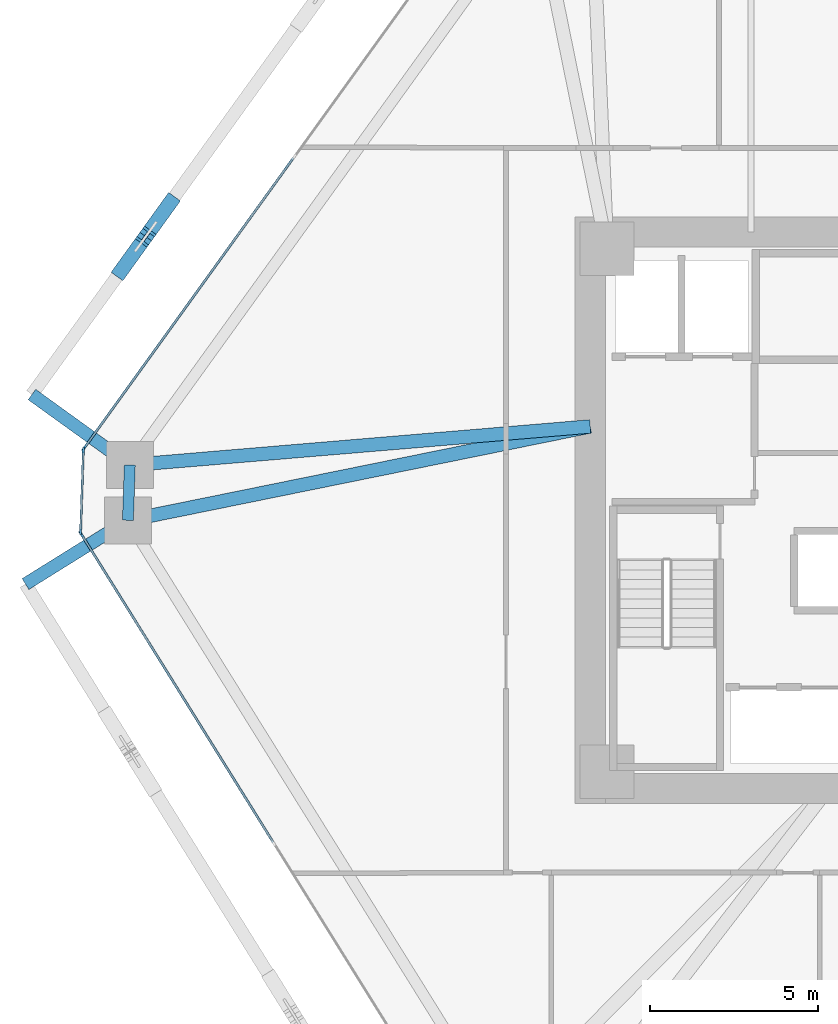
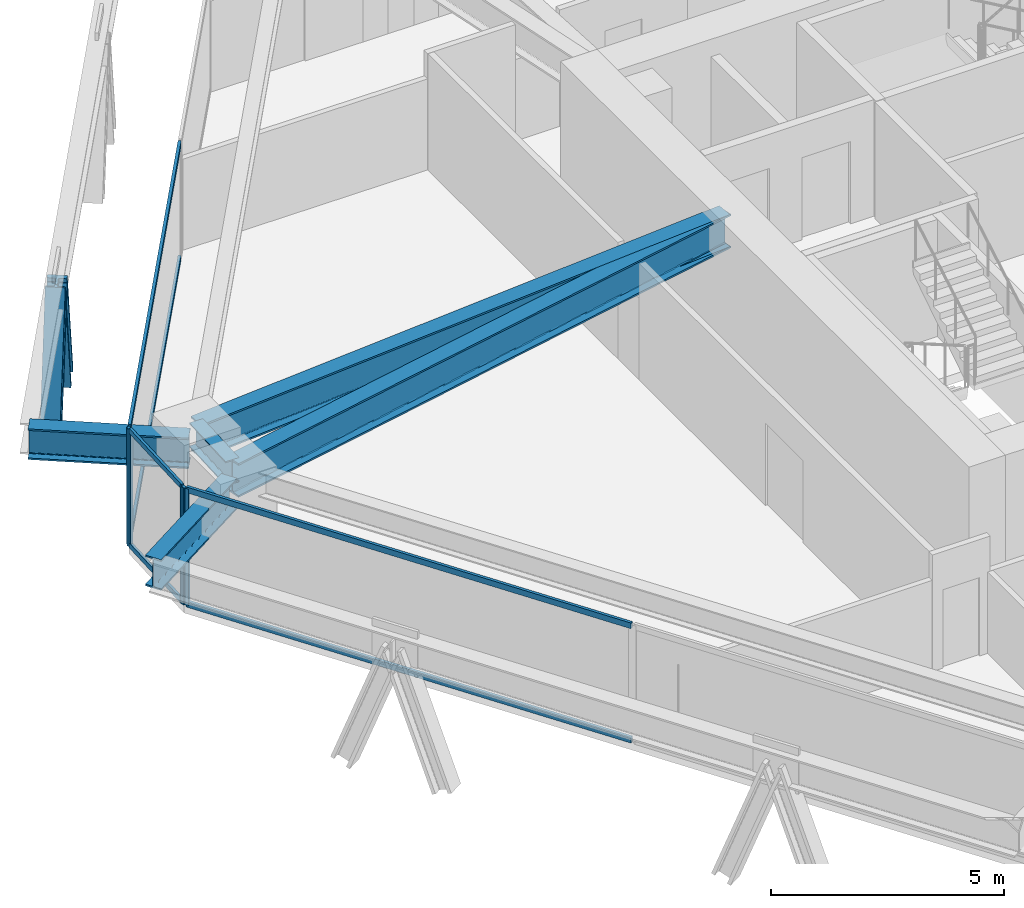
# One storey, part 4 of 17: 12 members, 5 beams, 3 elements without a shape of their own.
"""IFC4 building model written with IfcOpenShell, lengths in metres."""

from ifc_helpers import new_model, si_unit, direction, frame, origin, origin_2d, place, context, subcontext, project, spatial, rectangle, i_section, extrude, source, transform, mapped, material, layer, layer_set, material_profile, profile_set, type_object, type_shapes, element, aggregate, save


model = new_model("IFC4")

# Units and contexts
model_context = context("Model", 3, precision=1e-05, world=origin(), true_north=direction((0.0, 1.0)))
body_context = subcontext(model_context, "Body", "Model", "MODEL_VIEW")
ifc_project = project(units=[si_unit("LENGTHUNIT", "METRE"), si_unit("AREAUNIT", "SQUARE_METRE"), si_unit("VOLUMEUNIT", "CUBIC_METRE"), si_unit("PLANEANGLEUNIT", "RADIAN"), si_unit("MASSUNIT", "GRAM", prefix="KILO")], contexts=[model_context])

# Site, building, storey
site_placement = place(None, origin())
site = spatial("IfcSite", under=ifc_project, at=site_placement, CompositionType="ELEMENT")
building_placement = place(site_placement, origin())
building = spatial("IfcBuilding", under=site, at=building_placement, Name="Durnholm Broadcast Tower", CompositionType="ELEMENT")
storey_placement = place(building_placement, frame((0.0, 0.0, 58.800048828125)))
storey = spatial("IfcBuildingStorey", under=building, at=storey_placement, Name="L14", CompositionType="ELEMENT", Elevation=58.800048828125)

# Beams
ifc_material_1 = material(Name="Steel ASTM A992 Grade 50", Category="steel")
ifc_material_profile_1 = material_profile(ifc_material_1, i_section(OverallWidth=0.3291015625, OverallDepth=0.635009765625, WebThickness=0.017822265625, FlangeThickness=0.031005859375, FilletRadius=0.02783203125, at=origin_2d()), Name="W24X162")
ifc_profile_set_1 = profile_set([ifc_material_profile_1], Name="Steel ASTM A992 Grade 50")
beam_type_1 = type_object("IfcBeamType", Name="STL-SP-W24X162", PredefinedType="SPANDREL", material=ifc_profile_set_1)
shared_shape_1 = source(origin(), body_context, "Body", "SweptSolid", [
    extrude(i_section(OverallWidth=0.3291015625, OverallDepth=0.635009765625, WebThickness=0.017822265625, FlangeThickness=0.031005859375, FilletRadius=0.02783203125, at=origin_2d()), origin(), (0.0, 0.0, 1.0), 1.648193359375),
])
type_shapes(beam_type_1, [shared_shape_1])
beam_1_placement = place(storey_placement, frame((-24.0908203125, -0.2998046875, 2.7275390625), z_axis=(0.033921477804, 0.999424501072, 0.0), x_axis=(-0.999424501072, 0.033921477804, 0.0)))
element("IfcBeam", 1, at=beam_1_placement, inside=storey, type_object=beam_type_1, Name="L14 perimeter spandrel girder 02", PredefinedType="SPANDREL", context=body_context, shape_type="MappedRepresentation", body=[
    mapped(shared_shape_1, transform((0.0, 0.0, 0.0), x_axis=(1.0, 0.0, 0.0), y_axis=(0.0, 1.0, 0.0), z_axis=(0.0, 0.0, 1.0), scale=1.0)),
])
ifc_material_profile_2 = material_profile(ifc_material_1, i_section(OverallWidth=0.404052734375, OverallDepth=0.885009765625, WebThickness=0.0244140625, FlangeThickness=0.0439453125, FilletRadius=0.03564453125, at=origin_2d()), Name="W33X291")
ifc_profile_set_2 = profile_set([ifc_material_profile_2], Name="Steel ASTM A992 Grade 50")
beam_type_2 = type_object("IfcBeamType", Name="STL-GR-W33X291", PredefinedType="USERDEFINED", material=ifc_profile_set_2)
shared_shape_2 = source(origin(), body_context, "Body", "SweptSolid", [
    extrude(i_section(OverallWidth=0.404052734375, OverallDepth=0.885009765625, WebThickness=0.0244140625, FlangeThickness=0.0439453125, FilletRadius=0.03564453125, at=origin_2d()), origin(), (0.0, 0.0, 1.0), 14.072021484375),
])
beam_2_placement = place(storey_placement, frame((-10.300048828125, 2.5, 2.6025390625), z_axis=(-0.980007356767, -0.198961254225, 0.0), x_axis=(0.198961254225, -0.980007356767, 0.0)))
element("IfcBeam", 2, at=beam_2_placement, inside=storey, type_object=beam_type_2, Name="L14 radial primary floor girder 02", ObjectType="GIRDER", PredefinedType="USERDEFINED", context=body_context, shape_type="MappedRepresentation", body=[
    mapped(shared_shape_2, transform((0.0, 0.0, 0.0), x_axis=(1.0, 0.0, 0.0), y_axis=(0.0, 1.0, 0.0), z_axis=(0.0, 0.0, 1.0), scale=1.0)),
])
shared_shape_3 = source(origin(), body_context, "Body", "SweptSolid", [
    extrude(i_section(OverallWidth=0.404052734375, OverallDepth=0.885009765625, WebThickness=0.0244140625, FlangeThickness=0.0439453125, FilletRadius=0.03564453125, at=origin_2d()), origin(), (0.0, 0.0, 1.0), 13.783203125),
])
type_shapes(beam_type_2, [shared_shape_2, shared_shape_3])
beam_3_placement = place(storey_placement, frame((-10.300048828125, 2.5, 2.6025390625), z_axis=(-0.996497460403, -0.083623031579, 0.0), x_axis=(0.083623031579, -0.996497460403, 0.0)))
element("IfcBeam", 3, at=beam_3_placement, inside=storey, type_object=beam_type_2, Name="L14 radial primary floor girder 03", ObjectType="GIRDER", PredefinedType="USERDEFINED", context=body_context, shape_type="MappedRepresentation", body=[
    mapped(shared_shape_3, transform((0.0, 0.0, 0.0), x_axis=(1.0, 0.0, 0.0), y_axis=(0.0, 1.0, 0.0), z_axis=(0.0, 0.0, 1.0), scale=1.0)),
])
ifc_material_profile_3 = material_profile(ifc_material_1, i_section(OverallWidth=0.385009765625, OverallDepth=0.802978515625, WebThickness=0.023681640625, FlangeThickness=0.0419921875, FilletRadius=0.032958984375, at=origin_2d()), Name="W30X261")
ifc_profile_set_3 = profile_set([ifc_material_profile_3], Name="Steel ASTM A992 Grade 50")
beam_type_3 = type_object("IfcBeamType", Name="BM-EXO-TIE", PredefinedType="USERDEFINED", material=ifc_profile_set_3)
shared_shape_4 = source(origin(), body_context, "Body", "SweptSolid", [
    extrude(i_section(OverallWidth=0.385009765625, OverallDepth=0.802978515625, WebThickness=0.023681640625, FlangeThickness=0.0419921875, FilletRadius=0.032958984375, at=origin_2d()), origin(), (0.0, 0.0, 1.0), 3.4560546875),
])
beam_4_placement = place(storey_placement, frame((-24.212890625, -0.375732421875, 2.30859375), z_axis=(-0.848874183218, -0.528594949906, 0.0), x_axis=(0.528594949906, -0.848874183218, 0.0)))
element("IfcBeam", 4, at=beam_4_placement, inside=storey, type_object=beam_type_3, Name="L14 exoskeleton stand-off tie bracket F6.1", ObjectType="GIRDER", PredefinedType="USERDEFINED", context=body_context, shape_type="MappedRepresentation", body=[
    mapped(shared_shape_4, transform((0.0, 0.0, 0.0), x_axis=(1.0, 0.0, 0.0), y_axis=(0.0, 1.0, 0.0), z_axis=(0.0, 0.0, 1.0), scale=1.0)),
])
shared_shape_5 = source(origin(), body_context, "Body", "SweptSolid", [
    extrude(i_section(OverallWidth=0.385009765625, OverallDepth=0.802978515625, WebThickness=0.023681640625, FlangeThickness=0.0419921875, FilletRadius=0.032958984375, at=origin_2d()), origin(), (0.0, 0.0, 1.0), 3.455810546875),
])
type_shapes(beam_type_3, [shared_shape_4, shared_shape_5])
beam_5_placement = place(storey_placement, frame((-24.15185546875, 1.431396484375, 2.30859375), z_axis=(-0.811133512552, 0.584861030344, 0.0), x_axis=(-0.584861030344, -0.811133512552, 0.0)))
element("IfcBeam", 5, at=beam_5_placement, inside=storey, type_object=beam_type_3, Name="L14 exoskeleton stand-off tie bracket F5.2", ObjectType="GIRDER", PredefinedType="USERDEFINED", context=body_context, shape_type="MappedRepresentation", body=[
    mapped(shared_shape_5, transform((0.0, 0.0, 0.0), x_axis=(1.0, 0.0, 0.0), y_axis=(0.0, 1.0, 0.0), z_axis=(0.0, 0.0, 1.0), scale=1.0)),
])

# Members
ifc_material_2 = material(Name="Steel ASTM A913 Grade 65", Category="steel")
ifc_material_profile_4 = material_profile(ifc_material_2, i_section(OverallWidth=0.43212890625, OverallDepth=0.497802734375, WebThickness=0.0556640625, FlangeThickness=0.0888671875, FilletRadius=0.030517578125, at=origin_2d()), Name="W14X500")
ifc_profile_set_4 = profile_set([ifc_material_profile_4], Name="Steel ASTM A913 Grade 65")
member_type_1 = type_object("IfcMemberType", Name="STL-DG-W14X500", PredefinedType="BRACE", material=ifc_profile_set_4)
shared_shape_6 = source(origin(), body_context, "Body", "SweptSolid", [
    extrude(i_section(OverallWidth=0.43212890625, OverallDepth=0.497802734375, WebThickness=0.0556640625, FlangeThickness=0.0888671875, FilletRadius=0.030517578125, at=origin_2d()), origin(), (0.0, 0.0, 1.0), 3.523193359375),
])
type_shapes(member_type_1, [shared_shape_6])
for number, where, z_axis, x_axis, name in (
    (6, (-22.837890625, 9.163330078125, -0.991455078125), (-0.204839138341, -0.284044529113, 0.93667477434), (0.81109123444, -0.58491966065, 0.0), "L14 stand-off diagrid brace F5.D2.1"),
    (7, (-24.281005859375, 7.161865234375, -0.991455078125), (0.20477274847, 0.284048560399, 0.936688068046), (-0.811185111535, 0.584789461963, 0.0), "L14 stand-off diagrid brace F5.D2.2"),
):
    element("IfcMember", number, at=place(storey_placement, frame(where, z_axis=z_axis, x_axis=x_axis)), inside=storey, type_object=member_type_1, Name=name, PredefinedType="BRACE", context=body_context, shape_type="MappedRepresentation", body=[
        mapped(shared_shape_6, transform((0.0, 0.0, 0.0), x_axis=(1.0, 0.0, 0.0), y_axis=(0.0, 1.0, 0.0), z_axis=(0.0, 0.0, 1.0), scale=1.0)),
    ])

# Curtain wall, members
ifc_material_3 = material(Name="Aluminium and Solar Control IGU", Category="aluminium")
ifc_layer_1 = layer(ifc_material_3, 0.1650390625)
ifc_layer_set_1 = layer_set([ifc_layer_1], Name="Aluminium and Solar Control IGU")
curtain_wall_type_1 = type_object("IfcCurtainWallType", Name="CW-SYS-5", PredefinedType="NOTDEFINED", material=ifc_layer_set_1)
curtain_wall_1_placement = place(storey_placement, origin())
curtain_wall_1 = element("IfcCurtainWall", 8, at=curtain_wall_1_placement, inside=storey, type_object=curtain_wall_type_1, Name="L14 curtain wall CW-CORNER CW-L14-CRN-01", PredefinedType="NOTDEFINED")
ifc_material_4 = material(Name="Aluminium 6063-T6", Category="aluminium")
ifc_material_profile_5 = material_profile(ifc_material_4, rectangle(XDim=0.06494140625, YDim=0.1650390625, at=origin_2d()), Name="CWM65X165")
ifc_profile_set_5 = profile_set([ifc_material_profile_5], Name="Aluminium 6063-T6")
member_type_2 = type_object("IfcMemberType", Name="CW-SYS-5-MUL", PredefinedType="MULLION", material=ifc_profile_set_5)
shared_shape_7 = source(origin(), body_context, "Body", "SweptSolid", [
    extrude(rectangle(XDim=0.06494140625, YDim=0.1650390625, at=origin_2d()), origin(), (0.0, 0.0, 1.0), 3.06005859375),
])
type_shapes(member_type_2, [shared_shape_7])
member_1_placement = place(storey_placement, frame((-25.50341796875, -0.6455078125, 0.0), z_axis=(0.0, 0.0, 1.0), x_axis=(-0.999427277772, 0.033839569233, 0.0)))
member_1 = element("IfcMember", 9, at=member_1_placement, type_object=member_type_2, Name="CW-CORNER mullion 1", PredefinedType="MULLION", context=body_context, shape_type="MappedRepresentation", body=[
    mapped(shared_shape_7, transform((0.0, 0.0, 0.0), x_axis=(1.0, 0.0, 0.0), y_axis=(0.0, 1.0, 0.0), z_axis=(0.0, 0.0, 1.0), scale=1.0)),
])
member_2_placement = place(storey_placement, frame((-25.4208984375, 1.7880859375, 0.0), z_axis=(0.0, 0.0, 1.0), x_axis=(-0.999427277772, 0.033839569233, 0.0)))
member_2 = element("IfcMember", 10, at=member_2_placement, type_object=member_type_2, Name="CW-CORNER mullion 2", PredefinedType="MULLION", context=body_context, shape_type="MappedRepresentation", body=[
    mapped(shared_shape_7, transform((0.0, 0.0, 0.0), x_axis=(1.0, 0.0, 0.0), y_axis=(0.0, 1.0, 0.0), z_axis=(0.0, 0.0, 1.0), scale=1.0)),
])
ifc_material_profile_6 = material_profile(ifc_material_4, rectangle(XDim=0.06494140625, YDim=0.1298828125, at=origin_2d()), Name="CWT65X130")
ifc_profile_set_6 = profile_set([ifc_material_profile_6], Name="Aluminium 6063-T6")
member_type_3 = type_object("IfcMemberType", Name="CW-SYS-5-TRN", PredefinedType="USERDEFINED", material=ifc_profile_set_6)
shared_shape_8 = source(origin(), body_context, "Body", "SweptSolid", [
    extrude(rectangle(XDim=0.06494140625, YDim=0.1298828125, at=origin_2d()), origin(), (0.0, 0.0, 1.0), 2.3701171875),
])
type_shapes(member_type_3, [shared_shape_8])
member_3_placement = place(storey_placement, frame((-25.502197265625, -0.613037109375, 0.032470703125), z_axis=(0.033788158898, 0.999429017148, 0.0), x_axis=(-0.999429017148, 0.033788158898, 0.0)))
member_3 = element("IfcMember", 11, at=member_3_placement, type_object=member_type_3, Name="CW-CORNER transom 1.1", ObjectType="TRANSOM", PredefinedType="USERDEFINED", context=body_context, shape_type="MappedRepresentation", body=[
    mapped(shared_shape_8, transform((0.0, 0.0, 0.0), x_axis=(1.0, 0.0, 0.0), y_axis=(0.0, 1.0, 0.0), z_axis=(0.0, 0.0, 1.0), scale=1.0)),
])
member_4_placement = place(storey_placement, frame((-25.502197265625, -0.613037109375, 3.02734375), z_axis=(0.033788158898, 0.999429017148, 0.0), x_axis=(-0.999429017148, 0.033788158898, 0.0)))
member_4 = element("IfcMember", 12, at=member_4_placement, type_object=member_type_3, Name="CW-CORNER transom 1.2", ObjectType="TRANSOM", PredefinedType="USERDEFINED", context=body_context, shape_type="MappedRepresentation", body=[
    mapped(shared_shape_8, transform((0.0, 0.0, 0.0), x_axis=(1.0, 0.0, 0.0), y_axis=(0.0, 1.0, 0.0), z_axis=(0.0, 0.0, 1.0), scale=1.0)),
])
aggregate(curtain_wall_1, [member_1, member_2, member_3, member_4])

# Curtain wall, member
ifc_layer_2 = layer(ifc_material_3, 0.18994140625)
ifc_layer_set_2 = layer_set([ifc_layer_2], Name="Aluminium and Solar Control IGU")
curtain_wall_type_2 = type_object("IfcCurtainWallType", Name="CW-SYS-3", PredefinedType="NOTDEFINED", material=ifc_layer_set_2)
curtain_wall_2_placement = place(storey_placement, origin())
curtain_wall_2 = element("IfcCurtainWall", 13, at=curtain_wall_2_placement, inside=storey, type_object=curtain_wall_type_2, Name="L14 curtain wall CW-Z12-VIS CW-L14-F02", PredefinedType="NOTDEFINED")
ifc_material_profile_7 = material_profile(ifc_material_4, rectangle(XDim=0.070068359375, YDim=0.18994140625, at=origin_2d()), Name="CWM70X190")
ifc_profile_set_7 = profile_set([ifc_material_profile_7], Name="Aluminium 6063-T6")
member_type_4 = type_object("IfcMemberType", Name="CW-SYS-3-MUL", PredefinedType="MULLION", material=ifc_profile_set_7)
shared_shape_9 = source(origin(), body_context, "Body", "SweptSolid", [
    extrude(rectangle(XDim=0.070068359375, YDim=0.18994140625, at=origin_2d()), origin(), (0.0, 0.0, 1.0), 3.06005859375),
])
type_shapes(member_type_4, [shared_shape_9])
member_5_placement = place(storey_placement, frame((-25.3994140625, 1.848876953125, 0.0), z_axis=(0.0, 0.0, 1.0), x_axis=(-0.81116057493, 0.584823496176, 0.0)))
member_5 = element("IfcMember", 14, at=member_5_placement, type_object=member_type_4, Name="CW-Z12-VIS mullion 1", PredefinedType="MULLION", context=body_context, shape_type="MappedRepresentation", body=[
    mapped(shared_shape_9, transform((0.0, 0.0, 0.0), x_axis=(1.0, 0.0, 0.0), y_axis=(0.0, 1.0, 0.0), z_axis=(0.0, 0.0, 1.0), scale=1.0)),
])

curtain_wall_3_placement = place(storey_placement, origin())
curtain_wall_3 = element("IfcCurtainWall", 15, at=curtain_wall_3_placement, inside=storey, type_object=curtain_wall_type_2, Name="L14 curtain wall CW-Z12-VIS CW-L14-F12", PredefinedType="NOTDEFINED")
member_6_placement = place(storey_placement, frame((-25.48583984375, -0.707763671875, 0.0), z_axis=(0.0, 0.0, 1.0), x_axis=(-0.848875785503, -0.528592376777, 0.0)))
member_6 = element("IfcMember", 16, at=member_6_placement, type_object=member_type_4, Name="CW-Z12-VIS mullion 3", PredefinedType="MULLION", context=body_context, shape_type="MappedRepresentation", body=[
    mapped(shared_shape_9, transform((0.0, 0.0, 0.0), x_axis=(1.0, 0.0, 0.0), y_axis=(0.0, 1.0, 0.0), z_axis=(0.0, 0.0, 1.0), scale=1.0)),
])

# Member
ifc_material_profile_8 = material_profile(ifc_material_4, rectangle(XDim=0.070068359375, YDim=0.14990234375, at=origin_2d()), Name="CWT70X150")
ifc_profile_set_8 = profile_set([ifc_material_profile_8], Name="Aluminium 6063-T6")
member_type_5 = type_object("IfcMemberType", Name="CW-SYS-3-TRN", PredefinedType="USERDEFINED", material=ifc_profile_set_8)
shared_shape_10 = source(origin(), body_context, "Body", "SweptSolid", [
    extrude(rectangle(XDim=0.070068359375, YDim=0.14990234375, at=origin_2d()), origin(), (0.0, 0.0, 1.0), 10.6455078125),
])
member_7_placement = place(storey_placement, frame((-25.37890625, 1.877197265625, 0.034912109375), z_axis=(0.584812103659, 0.811168788486, 0.0), x_axis=(-0.811168788486, 0.584812103659, 0.0)))
member_7 = element("IfcMember", 17, at=member_7_placement, type_object=member_type_5, Name="CW-Z12-VIS transom 1.1", ObjectType="TRANSOM", PredefinedType="USERDEFINED", context=body_context, shape_type="MappedRepresentation", body=[
    mapped(shared_shape_10, transform((0.0, 0.0, 0.0), x_axis=(1.0, 0.0, 0.0), y_axis=(0.0, 1.0, 0.0), z_axis=(0.0, 0.0, 1.0), scale=1.0)),
])

member_8_placement = place(storey_placement, frame((-25.37890625, 1.877197265625, 3.02490234375), z_axis=(0.584812103659, 0.811168788486, 0.0), x_axis=(-0.811168788486, 0.584812103659, 0.0)))
member_8 = element("IfcMember", 18, at=member_8_placement, type_object=member_type_5, Name="CW-Z12-VIS transom 1.2", ObjectType="TRANSOM", PredefinedType="USERDEFINED", context=body_context, shape_type="MappedRepresentation", body=[
    mapped(shared_shape_10, transform((0.0, 0.0, 0.0), x_axis=(1.0, 0.0, 0.0), y_axis=(0.0, 1.0, 0.0), z_axis=(0.0, 0.0, 1.0), scale=1.0)),
])

aggregate(curtain_wall_2, [member_5, member_7, member_8])

shared_shape_11 = source(origin(), body_context, "Body", "SweptSolid", [
    extrude(rectangle(XDim=0.070068359375, YDim=0.14990234375, at=origin_2d()), origin(), (0.0, 0.0, 1.0), 10.796630859375),
])
type_shapes(member_type_5, [shared_shape_10, shared_shape_11])
member_9_placement = place(storey_placement, frame((-19.760498046875, -9.902587890625, 0.034912109375), z_axis=(-0.528575362968, 0.848886379714, 0.0), x_axis=(-0.848886379714, -0.528575362968, 0.0)))
member_9 = element("IfcMember", 19, at=member_9_placement, type_object=member_type_5, Name="CW-Z12-VIS transom 2.1", ObjectType="TRANSOM", PredefinedType="USERDEFINED", context=body_context, shape_type="MappedRepresentation", body=[
    mapped(shared_shape_11, transform((0.0, 0.0, 0.0), x_axis=(1.0, 0.0, 0.0), y_axis=(0.0, 1.0, 0.0), z_axis=(0.0, 0.0, 1.0), scale=1.0)),
])

member_10_placement = place(storey_placement, frame((-19.760498046875, -9.902587890625, 3.02490234375), z_axis=(-0.528575362968, 0.848886379714, 0.0), x_axis=(-0.848886379714, -0.528575362968, 0.0)))
member_10 = element("IfcMember", 20, at=member_10_placement, type_object=member_type_5, Name="CW-Z12-VIS transom 2.2", ObjectType="TRANSOM", PredefinedType="USERDEFINED", context=body_context, shape_type="MappedRepresentation", body=[
    mapped(shared_shape_11, transform((0.0, 0.0, 0.0), x_axis=(1.0, 0.0, 0.0), y_axis=(0.0, 1.0, 0.0), z_axis=(0.0, 0.0, 1.0), scale=1.0)),
])

aggregate(curtain_wall_3, [member_6, member_9, member_10])

save(model, "model.ifc")
